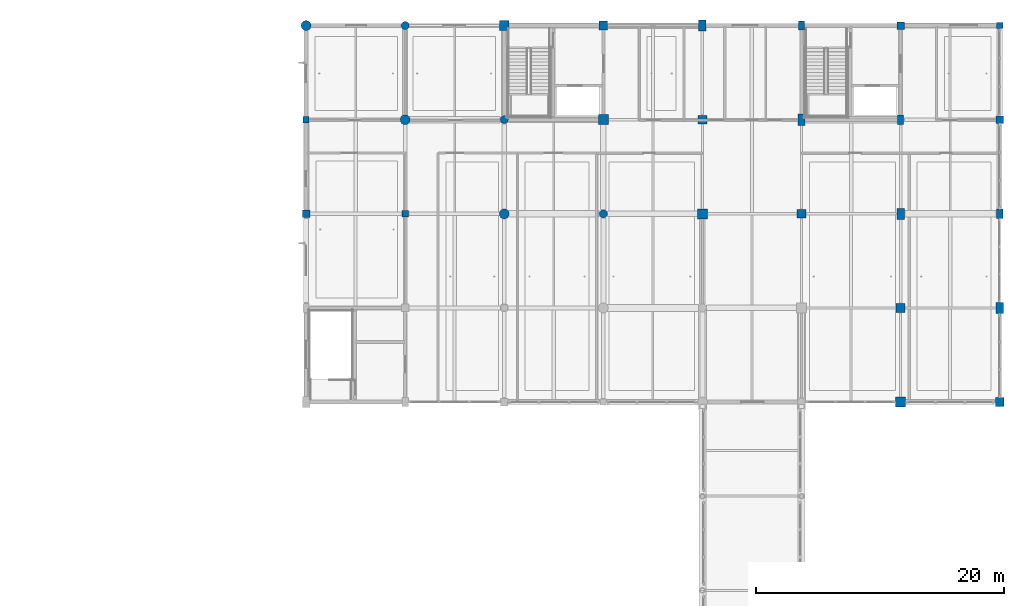
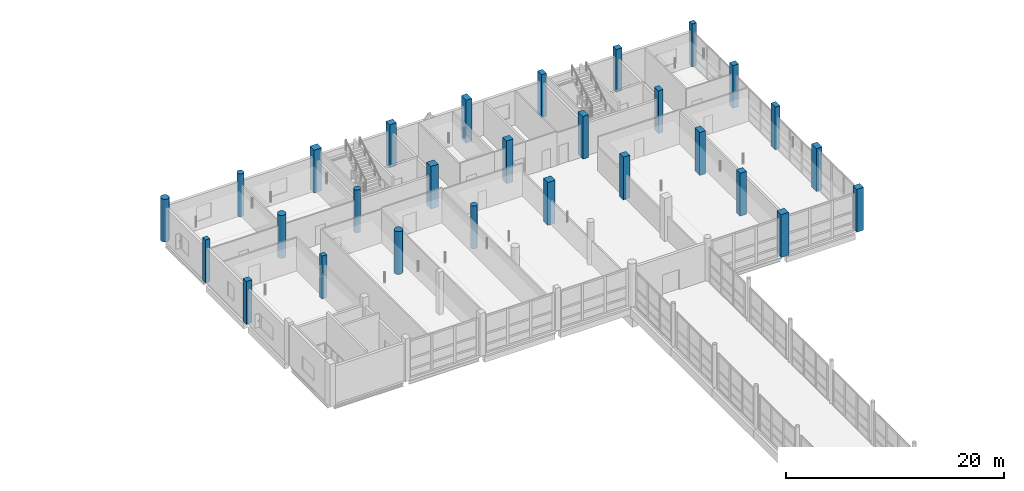
# One storey, part 10 of 147: 28 columns.
"""IFC4 building model written with IfcOpenShell, lengths in metres."""

from ifc_helpers import new_model, si_unit, direction, frame, origin, origin_2d, place, context, subcontext, project, spatial, rectangle, circle, extrude, material, material_profile, profile_set, type_object, element, save


model = new_model("IFC4")

# Units and contexts
model_context = context("Model", 3, precision=1e-05, world=origin(), true_north=direction((0.0, 1.0)))
body_context = subcontext(model_context, "Body", "Model", "MODEL_VIEW")
ifc_project = project(units=[si_unit("LENGTHUNIT", "METRE"), si_unit("AREAUNIT", "SQUARE_METRE"), si_unit("VOLUMEUNIT", "CUBIC_METRE"), si_unit("PLANEANGLEUNIT", "RADIAN"), si_unit("MASSUNIT", "GRAM", prefix="KILO")], contexts=[model_context])

# Site, building, storey
site_placement = place(None, origin())
site = spatial("IfcSite", under=ifc_project, at=site_placement, CompositionType="ELEMENT")
building_placement = place(site_placement, origin())
building = spatial("IfcBuilding", under=site, at=building_placement, Name="Khelvaren Railside Concert Hall", CompositionType="ELEMENT")
storey_placement = place(building_placement, frame((0.0, 0.0, 5.39990234375)))
storey = spatial("IfcBuildingStorey", under=building, at=storey_placement, Name="L01", CompositionType="ELEMENT", Elevation=5.39990234375)

# Columns
ifc_material = material(Name="Concrete C45/55", Category="concrete")
ifc_material_profile_1 = material_profile(ifc_material, rectangle(XDim=0.60009765625, YDim=0.60009765625, at=origin_2d()), Name="RC 600x600")
ifc_profile_set_1 = profile_set([ifc_material_profile_1], Name="Concrete C45/55")
column_type_1 = type_object("IfcColumnType", Name="COL11", PredefinedType="COLUMN", material=ifc_profile_set_1)
for number, where, z_axis, x_axis, name in (
    (1, (128.0, 98.800048828125, 0.0), (0.0, 0.0, 1.0), (1.0, 0.0, 0.0), "V5 L01 Column (128.0,98.8)"),
    (2, (176.0, 114.0, 0.0), (0.0, 0.0, 1.0), (1.0, 0.0, 0.0), "V5 L01 Column (176.0,114.0)"),
    (3, (184.0, 106.39990234375, 0.0), (0.0, 0.0, 1.0), (1.0, 0.0, 0.0), "V5 L01 Column (184.0,106.4)"),
):
    element("IfcColumn", number, at=place(storey_placement, frame(where, z_axis=z_axis, x_axis=x_axis)), inside=storey, type_object=column_type_1, Name=name, PredefinedType="COLUMN", context=body_context, shape_type="SweptSolid", body=[
        extrude(rectangle(XDim=0.60009765625, YDim=0.60009765625, at=origin_2d()), origin(), (0.0, 0.0, 1.0), 4.800048828125),
    ])
ifc_material_profile_2 = material_profile(ifc_material, circle(Radius=0.39990234375, at=origin_2d()), Name="RC D800")
ifc_profile_set_2 = profile_set([ifc_material_profile_2], Name="Concrete C45/55")
column_type_2 = type_object("IfcColumnType", Name="COL14", PredefinedType="COLUMN", material=ifc_profile_set_2)
for number, where, z_axis, x_axis, name in (
    (4, (136.0, 106.39990234375, 0.0), (0.0, 0.0, 1.0), (1.0, 0.0, 0.0), "V5 L01 Column (136.0,106.4)"),
    (5, (144.0, 98.800048828125, 0.0), (0.0, 0.0, 1.0), (1.0, 0.0, 0.0), "V5 L01 Column (144.0,98.8)"),
):
    element("IfcColumn", number, at=place(storey_placement, frame(where, z_axis=z_axis, x_axis=x_axis)), inside=storey, type_object=column_type_2, Name=name, PredefinedType="COLUMN", context=body_context, shape_type="SweptSolid", body=[
        extrude(circle(Radius=0.39990234375, at=origin_2d()), origin(), (0.0, 0.0, 1.0), 4.800048828125),
    ])
ifc_material_profile_3 = material_profile(ifc_material, rectangle(XDim=0.699951171875, YDim=0.699951171875, at=origin_2d()), Name="RC 700x700")
ifc_profile_set_3 = profile_set([ifc_material_profile_3], Name="Concrete C45/55")
column_type_3 = type_object("IfcColumnType", Name="COL16", PredefinedType="COLUMN", material=ifc_profile_set_3)
for number, where, z_axis, x_axis, name in (
    (6, (152.0, 114.0, 0.0), (0.0, 0.0, 1.0), (1.0, 0.0, 0.0), "V5 L01 Column (152.0,114.0)"),
    (7, (184.0, 83.60009765625, 0.0), (0.0, 0.0, 1.0), (1.0, 0.0, 0.0), "V5 L01 Column (184.0,83.6)"),
):
    element("IfcColumn", number, at=place(storey_placement, frame(where, z_axis=z_axis, x_axis=x_axis)), inside=storey, type_object=column_type_3, Name=name, PredefinedType="COLUMN", context=body_context, shape_type="SweptSolid", body=[
        extrude(rectangle(XDim=0.699951171875, YDim=0.699951171875, at=origin_2d()), origin(), (0.0, 0.0, 1.0), 4.800048828125),
    ])
ifc_material_profile_4 = material_profile(ifc_material, rectangle(XDim=0.800048828125, YDim=0.800048828125, at=origin_2d()), Name="RC 800x800")
ifc_profile_set_4 = profile_set([ifc_material_profile_4], Name="Concrete C45/55")
column_type_4 = type_object("IfcColumnType", Name="COL20", PredefinedType="COLUMN", material=ifc_profile_set_4)
for number, where, z_axis, x_axis, name in (
    (8, (152.0, 106.39990234375, 0.0), (0.0, 0.0, 1.0), (1.0, 0.0, 0.0), "V5 L01 Column (152.0,106.4)"),
    (9, (160.0, 98.800048828125, 0.0), (0.0, 0.0, 1.0), (1.0, 0.0, 0.0), "V5 L01 Column (160.0,98.8)"),
):
    element("IfcColumn", number, at=place(storey_placement, frame(where, z_axis=z_axis, x_axis=x_axis)), inside=storey, type_object=column_type_4, Name=name, PredefinedType="COLUMN", context=body_context, shape_type="SweptSolid", body=[
        extrude(rectangle(XDim=0.800048828125, YDim=0.800048828125, at=origin_2d()), origin(), (0.0, 0.0, 1.0), 4.800048828125),
    ])
ifc_material_profile_5 = material_profile(ifc_material, circle(Radius=0.39990234375, at=origin_2d()), Name="RC D800")
ifc_profile_set_5 = profile_set([ifc_material_profile_5], Name="Concrete C45/55")
column_type_5 = type_object("IfcColumnType", Name="COL22", PredefinedType="COLUMN", material=ifc_profile_set_5)
column_1_placement = place(storey_placement, frame((128.0, 114.0, 0.0), z_axis=(0.0, 0.0, 1.0), x_axis=(1.0, 0.0, 0.0)))
element("IfcColumn", 10, at=column_1_placement, inside=storey, type_object=column_type_5, Name="V5 L01 Column (128.0,114.0)", PredefinedType="COLUMN", context=body_context, shape_type="SweptSolid", body=[
    extrude(circle(Radius=0.39990234375, at=origin_2d()), origin(), (0.0, 0.0, 1.0), 4.800048828125),
])
ifc_material_profile_6 = material_profile(ifc_material, rectangle(XDim=0.60009765625, YDim=0.89990234375, at=origin_2d()), Name="RC 600x900")
ifc_profile_set_6 = profile_set([ifc_material_profile_6], Name="Concrete C45/55")
column_type_6 = type_object("IfcColumnType", Name="COL33", PredefinedType="COLUMN", material=ifc_profile_set_6)
for number, where, z_axis, x_axis, name in (
    (11, (168.0, 106.39990234375, 0.0), (0.0, 0.0, 1.0), (1.0, 0.0, 0.0), "V5 L01 Column (168.0,106.4)"),
    (12, (176.0, 98.800048828125, 0.0), (0.0, 0.0, 1.0), (1.0, 0.0, 0.0), "V5 L01 Column (176.0,98.8)"),
):
    element("IfcColumn", number, at=place(storey_placement, frame(where, z_axis=z_axis, x_axis=x_axis)), inside=storey, type_object=column_type_6, Name=name, PredefinedType="COLUMN", context=body_context, shape_type="SweptSolid", body=[
        extrude(rectangle(XDim=0.60009765625, YDim=0.89990234375, at=origin_2d()), origin(), (0.0, 0.0, 1.0), 4.800048828125),
    ])
ifc_material_profile_7 = material_profile(ifc_material, rectangle(XDim=0.5, YDim=0.5, at=origin_2d()), Name="RC 500x500")
ifc_profile_set_7 = profile_set([ifc_material_profile_7], Name="Concrete C45/55")
column_type_7 = type_object("IfcColumnType", Name="COL35", PredefinedType="COLUMN", material=ifc_profile_set_7)
for number, where, z_axis, x_axis, name in (
    (13, (128.0, 106.39990234375, 0.0), (0.0, 0.0, 1.0), (1.0, 0.0, 0.0), "V5 L01 Column (128.0,106.4)"),
    (14, (184.0, 114.0, 0.0), (0.0, 0.0, 1.0), (1.0, 0.0, 0.0), "V5 L01 Column (184.0,114.0)"),
):
    element("IfcColumn", number, at=place(storey_placement, frame(where, z_axis=z_axis, x_axis=x_axis)), inside=storey, type_object=column_type_7, Name=name, PredefinedType="COLUMN", context=body_context, shape_type="SweptSolid", body=[
        extrude(rectangle(XDim=0.5, YDim=0.5, at=origin_2d()), origin(), (0.0, 0.0, 1.0), 4.800048828125),
    ])
ifc_material_profile_8 = material_profile(ifc_material, rectangle(XDim=0.5, YDim=0.75, at=origin_2d()), Name="RC 500x750")
ifc_profile_set_8 = profile_set([ifc_material_profile_8], Name="Concrete C45/55")
column_type_8 = type_object("IfcColumnType", Name="COL36", PredefinedType="COLUMN", material=ifc_profile_set_8)
column_2_placement = place(storey_placement, frame((176.0, 106.39990234375, 0.0), z_axis=(0.0, 0.0, 1.0), x_axis=(1.0, 0.0, 0.0)))
element("IfcColumn", 15, at=column_2_placement, inside=storey, type_object=column_type_8, Name="V5 L01 Column (176.0,106.4)", PredefinedType="COLUMN", context=body_context, shape_type="SweptSolid", body=[
    extrude(rectangle(XDim=0.5, YDim=0.75, at=origin_2d()), origin(), (0.0, 0.0, 1.0), 4.800048828125),
])
ifc_material_profile_9 = material_profile(ifc_material, rectangle(XDim=0.800048828125, YDim=0.800048828125, at=origin_2d()), Name="RC 800x800")
ifc_profile_set_9 = profile_set([ifc_material_profile_9], Name="Concrete C45/55")
column_type_9 = type_object("IfcColumnType", Name="COL38", PredefinedType="COLUMN", material=ifc_profile_set_9)
for number, where, z_axis, x_axis, name in (
    (16, (144.0, 114.0, 0.0), (0.0, 0.0, 1.0), (1.0, 0.0, 0.0), "V5 L01 Column (144.0,114.0)"),
    (17, (176.0, 83.60009765625, 0.0), (0.0, 0.0, 1.0), (1.0, 0.0, 0.0), "V5 L01 Column (176.0,83.6)"),
):
    element("IfcColumn", number, at=place(storey_placement, frame(where, z_axis=z_axis, x_axis=x_axis)), inside=storey, type_object=column_type_9, Name=name, PredefinedType="COLUMN", context=body_context, shape_type="SweptSolid", body=[
        extrude(rectangle(XDim=0.800048828125, YDim=0.800048828125, at=origin_2d()), origin(), (0.0, 0.0, 1.0), 4.800048828125),
    ])
ifc_material_profile_10 = material_profile(ifc_material, circle(Radius=0.324951171875, at=origin_2d()), Name="RC D650")
ifc_profile_set_10 = profile_set([ifc_material_profile_10], Name="Concrete C45/55")
column_type_10 = type_object("IfcColumnType", Name="COL53", PredefinedType="COLUMN", material=ifc_profile_set_10)
column_3_placement = place(storey_placement, frame((136.0, 114.0, 0.0), z_axis=(0.0, 0.0, 1.0), x_axis=(1.0, 0.0, 0.0)))
element("IfcColumn", 18, at=column_3_placement, inside=storey, type_object=column_type_10, Name="V5 L01 Column (136.0,114.0)", PredefinedType="COLUMN", context=body_context, shape_type="SweptSolid", body=[
    extrude(circle(Radius=0.324951171875, at=origin_2d()), origin(), (0.0, 0.0, 1.0), 4.800048828125),
])
ifc_material_profile_11 = material_profile(ifc_material, rectangle(XDim=0.699951171875, YDim=0.699951171875, at=origin_2d()), Name="RC 700x700")
ifc_profile_set_11 = profile_set([ifc_material_profile_11], Name="Concrete C45/55")
column_type_11 = type_object("IfcColumnType", Name="COL74", PredefinedType="COLUMN", material=ifc_profile_set_11)
for number, where, z_axis, x_axis, name in (
    (19, (160.0, 106.39990234375, 0.0), (0.0, 0.0, 1.0), (1.0, 0.0, 0.0), "V5 L01 Column (160.0,106.4)"),
    (20, (168.0, 98.800048828125, 0.0), (0.0, 0.0, 1.0), (1.0, 0.0, 0.0), "V5 L01 Column (168.0,98.8)"),
    (21, (176.0, 91.199951171875, 0.0), (0.0, 0.0, 1.0), (1.0, 0.0, 0.0), "V5 L01 Column (176.0,91.2)"),
):
    element("IfcColumn", number, at=place(storey_placement, frame(where, z_axis=z_axis, x_axis=x_axis)), inside=storey, type_object=column_type_11, Name=name, PredefinedType="COLUMN", context=body_context, shape_type="SweptSolid", body=[
        extrude(rectangle(XDim=0.699951171875, YDim=0.699951171875, at=origin_2d()), origin(), (0.0, 0.0, 1.0), 4.800048828125),
    ])
ifc_material_profile_12 = material_profile(ifc_material, rectangle(XDim=0.5, YDim=0.5, at=origin_2d()), Name="RC 500x500")
ifc_profile_set_12 = profile_set([ifc_material_profile_12], Name="Concrete C45/55")
column_type_12 = type_object("IfcColumnType", Name="COL84", PredefinedType="COLUMN", material=ifc_profile_set_12)
column_4_placement = place(storey_placement, frame((136.0, 98.800048828125, 0.0), z_axis=(0.0, 0.0, 1.0), x_axis=(1.0, 0.0, 0.0)))
element("IfcColumn", 22, at=column_4_placement, inside=storey, type_object=column_type_12, Name="V5 L01 Column (136.0,98.8)", PredefinedType="COLUMN", context=body_context, shape_type="SweptSolid", body=[
    extrude(rectangle(XDim=0.5, YDim=0.5, at=origin_2d()), origin(), (0.0, 0.0, 1.0), 4.800048828125),
])
ifc_material_profile_13 = material_profile(ifc_material, circle(Radius=0.324951171875, at=origin_2d()), Name="RC D650")
ifc_profile_set_13 = profile_set([ifc_material_profile_13], Name="Concrete C45/55")
column_type_13 = type_object("IfcColumnType", Name="COL94", PredefinedType="COLUMN", material=ifc_profile_set_13)
for number, where, z_axis, x_axis, name in (
    (23, (144.0, 106.39990234375, 0.0), (0.0, 0.0, 1.0), (1.0, 0.0, 0.0), "V5 L01 Column (144.0,106.4)"),
    (24, (152.0, 98.800048828125, 0.0), (0.0, 0.0, 1.0), (1.0, 0.0, 0.0), "V5 L01 Column (152.0,98.8)"),
):
    element("IfcColumn", number, at=place(storey_placement, frame(where, z_axis=z_axis, x_axis=x_axis)), inside=storey, type_object=column_type_13, Name=name, PredefinedType="COLUMN", context=body_context, shape_type="SweptSolid", body=[
        extrude(circle(Radius=0.324951171875, at=origin_2d()), origin(), (0.0, 0.0, 1.0), 4.800048828125),
    ])
ifc_material_profile_14 = material_profile(ifc_material, rectangle(XDim=0.60009765625, YDim=0.89990234375, at=origin_2d()), Name="RC 600x900")
ifc_profile_set_14 = profile_set([ifc_material_profile_14], Name="Concrete C45/55")
column_type_14 = type_object("IfcColumnType", Name="COL95", PredefinedType="COLUMN", material=ifc_profile_set_14)
for number, where, z_axis, x_axis, name in (
    (25, (160.0, 114.0, 0.0), (0.0, 0.0, 1.0), (1.0, 0.0, 0.0), "V5 L01 Column (160.0,114.0)"),
    (26, (184.0, 91.199951171875, 0.0), (0.0, 0.0, 1.0), (1.0, 0.0, 0.0), "V5 L01 Column (184.0,91.2)"),
):
    element("IfcColumn", number, at=place(storey_placement, frame(where, z_axis=z_axis, x_axis=x_axis)), inside=storey, type_object=column_type_14, Name=name, PredefinedType="COLUMN", context=body_context, shape_type="SweptSolid", body=[
        extrude(rectangle(XDim=0.60009765625, YDim=0.89990234375, at=origin_2d()), origin(), (0.0, 0.0, 1.0), 4.800048828125),
    ])
ifc_material_profile_15 = material_profile(ifc_material, rectangle(XDim=0.5, YDim=0.75, at=origin_2d()), Name="RC 500x750")
ifc_profile_set_15 = profile_set([ifc_material_profile_15], Name="Concrete C45/55")
column_type_15 = type_object("IfcColumnType", Name="COL97", PredefinedType="COLUMN", material=ifc_profile_set_15)
for number, where, z_axis, x_axis, name in (
    (27, (168.0, 114.0, 0.0), (0.0, 0.0, 1.0), (1.0, 0.0, 0.0), "V5 L01 Column (168.0,114.0)"),
    (28, (184.0, 98.800048828125, 0.0), (0.0, 0.0, 1.0), (1.0, 0.0, 0.0), "V5 L01 Column (184.0,98.8)"),
):
    element("IfcColumn", number, at=place(storey_placement, frame(where, z_axis=z_axis, x_axis=x_axis)), inside=storey, type_object=column_type_15, Name=name, PredefinedType="COLUMN", context=body_context, shape_type="SweptSolid", body=[
        extrude(rectangle(XDim=0.5, YDim=0.75, at=origin_2d()), origin(), (0.0, 0.0, 1.0), 4.800048828125),
    ])

save(model, "model.ifc")
